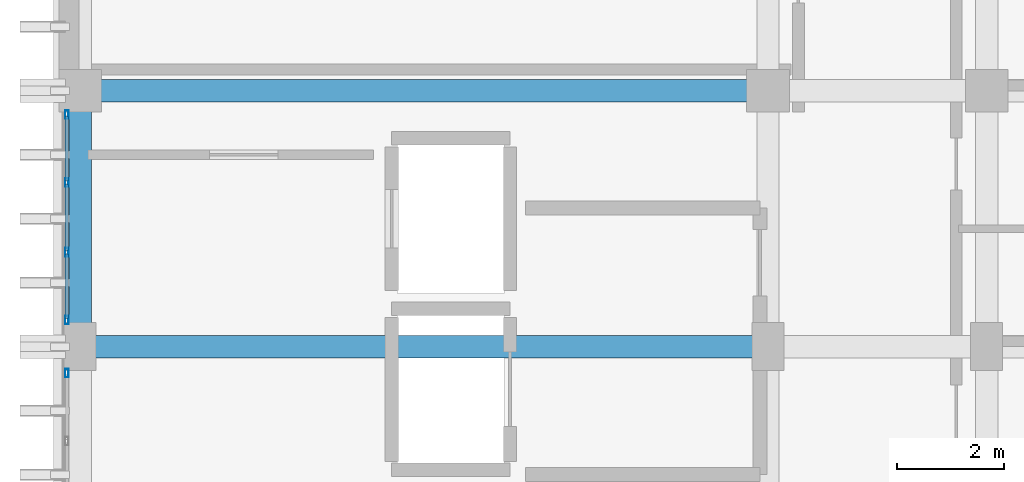
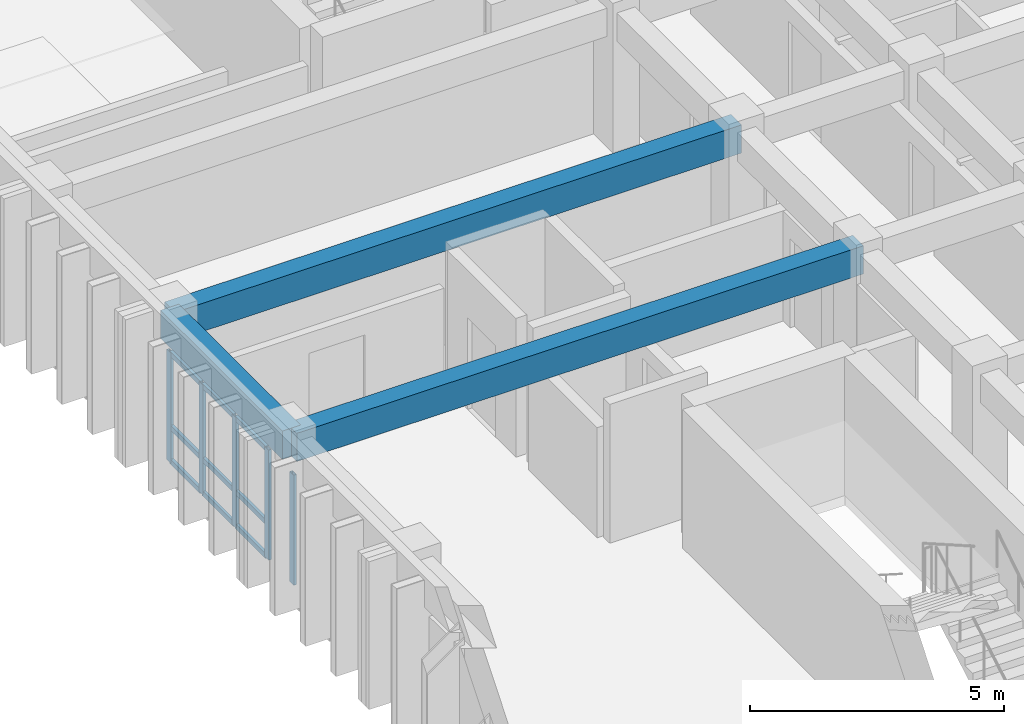
# One storey, part 37 of 82: 14 members, 3 beams, 2 elements without a shape of their own.
"""IFC4 building model written with IfcOpenShell, lengths in metres."""

from ifc_helpers import new_model, si_unit, direction, frame, origin, origin_2d, place, context, subcontext, project, spatial, rectangle, hollow_rectangle, extrude, material, layer, layer_set, material_profile, profile_set, type_object, element, aggregate, save


model = new_model("IFC4")

# Units and contexts
model_context = context("Model", 3, precision=1e-05, world=origin(), true_north=direction((0.0, 1.0)))
body_context = subcontext(model_context, "Body", "Model", "MODEL_VIEW")
ifc_project = project(units=[si_unit("LENGTHUNIT", "METRE"), si_unit("AREAUNIT", "SQUARE_METRE"), si_unit("VOLUMEUNIT", "CUBIC_METRE"), si_unit("PLANEANGLEUNIT", "RADIAN"), si_unit("MASSUNIT", "GRAM", prefix="KILO")], contexts=[model_context])

# Site, building, storey
site_placement = place(None, origin())
site = spatial("IfcSite", under=ifc_project, at=site_placement, CompositionType="ELEMENT")
building_placement = place(site_placement, origin())
building = spatial("IfcBuilding", under=site, at=building_placement, Name="Nakhvara Creek Congress Hotel", CompositionType="ELEMENT")
storey_placement = place(building_placement, frame((0.0, 0.0, 21.0)))
storey = spatial("IfcBuildingStorey", under=building, at=storey_placement, Name="L04", CompositionType="ELEMENT", Elevation=21.0)

# Beams
ifc_material_1 = material(Name="Concrete C40/50", Category="concrete")
ifc_material_profile_1 = material_profile(ifc_material_1, rectangle(XDim=0.419921875, YDim=0.679931640625, at=origin_2d()), Name="RC-BM 420x680", Category="LoadBearing")
ifc_profile_set_1 = profile_set([ifc_material_profile_1], Name="Concrete C40/50")
beam_type = type_object("IfcBeamType", Name="BM-RC-420X680", PredefinedType="BEAM", material=ifc_profile_set_1)
beam_1_placement = place(storey_placement, frame((149.449951171875, 96.0, 3.0), z_axis=(1.0, 0.0, 0.0), x_axis=(0.0, 1.0, 0.0)))
element("IfcBeam", 1, at=beam_1_placement, inside=storey, type_object=beam_type, Name="Beam B11-L04-1931", PredefinedType="BEAM", context=body_context, shape_type="SweptSolid", body=[
    extrude(rectangle(XDim=0.419921875, YDim=0.679931640625, at=origin_2d()), origin(), (0.0, 0.0, 1.0), 12.900146484375),
])
beam_2_placement = place(storey_placement, frame((149.449951171875, 91.199951171875, 3.0), z_axis=(0.0, 1.0, 0.0), x_axis=(-1.0, 0.0, 0.0)))
element("IfcBeam", 2, at=beam_2_placement, inside=storey, type_object=beam_type, Name="Beam B11-L04-1932", PredefinedType="BEAM", context=body_context, shape_type="SweptSolid", body=[
    extrude(rectangle(XDim=0.419921875, YDim=0.679931640625, at=origin_2d()), origin(), (0.0, 0.0, 1.0), 4.800048828125),
])
beam_3_placement = place(storey_placement, frame((149.449951171875, 91.199951171875, 3.0), z_axis=(1.0, 0.0, 0.0), x_axis=(0.0, 1.0, 0.0)))
element("IfcBeam", 3, at=beam_3_placement, inside=storey, type_object=beam_type, Name="Beam B11-L04-2035", PredefinedType="BEAM", context=body_context, shape_type="SweptSolid", body=[
    extrude(rectangle(XDim=0.419921875, YDim=0.679931640625, at=origin_2d()), origin(), (0.0, 0.0, 1.0), 12.900146484375),
])

# Curtain wall, member
ifc_material_2 = material(Name="Bronze-anodised aluminium AW-6063-T6 and double-silver low-E glass", Category="aluminium")
ifc_layer = layer(ifc_material_2, 0.199951171875)
ifc_layer_set = layer_set([ifc_layer], Name="Bronze-anodised aluminium AW-6063-T6 and double-silver low-E glass")
curtain_wall_type = type_object("IfcCurtainWallType", Name="CW-HTL-UNIT", PredefinedType="USERDEFINED", material=ifc_layer_set)
curtain_wall_1_placement = place(storey_placement, origin())
curtain_wall_1 = element("IfcCurtainWall", 4, at=curtain_wall_1_placement, inside=storey, type_object=curtain_wall_type, Name="Curtain Wall CW191", ObjectType="UNITISED", PredefinedType="USERDEFINED")
ifc_material_3 = material(Name="Bronze-anodised aluminium AW-6063-T6", Category="aluminium")
ifc_material_profile_2 = material_profile(ifc_material_3, hollow_rectangle(XDim=0.06494140625, YDim=0.159912109375, WallThickness=0.00390625, at=origin_2d()), Name="ALU-MULL 65x160x4", Category="LoadBearing")
ifc_profile_set_2 = profile_set([ifc_material_profile_2], Name="Bronze-anodised aluminium AW-6063-T6")
member_type_1 = type_object("IfcMemberType", Name="CW-MULL-160", PredefinedType="MULLION", material=ifc_profile_set_2)
member_1_placement = place(storey_placement, frame((149.199951171875, 90.702392578125, 0.0), z_axis=(0.0, 0.0, 1.0), x_axis=(-1.0, 0.0, 0.0)))
member_1 = element("IfcMember", 5, at=member_1_placement, type_object=member_type_1, Name="CW191 mullion 4", PredefinedType="MULLION", context=body_context, shape_type="SweptSolid", body=[
    extrude(hollow_rectangle(XDim=0.06494140625, YDim=0.159912109375, WallThickness=0.00390625, at=origin_2d()), origin(), (0.0, 0.0, 1.0), 2.652099609375),
])
aggregate(curtain_wall_1, [member_1])

# Curtain wall, members
curtain_wall_2_placement = place(storey_placement, origin())
curtain_wall_2 = element("IfcCurtainWall", 6, at=curtain_wall_2_placement, inside=storey, type_object=curtain_wall_type, Name="Curtain Wall CW193", ObjectType="UNITISED", PredefinedType="USERDEFINED")
member_2_placement = place(storey_placement, frame((149.199951171875, 91.697509765625, 0.0), z_axis=(0.0, 0.0, 1.0), x_axis=(-1.0, 0.0, 0.0)))
member_2 = element("IfcMember", 7, at=member_2_placement, type_object=member_type_1, Name="CW193 mullion 1", PredefinedType="MULLION", context=body_context, shape_type="SweptSolid", body=[
    extrude(hollow_rectangle(XDim=0.06494140625, YDim=0.159912109375, WallThickness=0.00390625, at=origin_2d()), origin(), (0.0, 0.0, 1.0), 2.652099609375),
])
member_3_placement = place(storey_placement, frame((149.199951171875, 92.9716796875, 0.0), z_axis=(0.0, 0.0, 1.0), x_axis=(-1.0, 0.0, 0.0)))
member_3 = element("IfcMember", 8, at=member_3_placement, type_object=member_type_1, Name="CW193 mullion 2", PredefinedType="MULLION", context=body_context, shape_type="SweptSolid", body=[
    extrude(hollow_rectangle(XDim=0.06494140625, YDim=0.159912109375, WallThickness=0.00390625, at=origin_2d()), origin(), (0.0, 0.0, 1.0), 2.652099609375),
])
member_4_placement = place(storey_placement, frame((149.199951171875, 94.2783203125, 0.0), z_axis=(0.0, 0.0, 1.0), x_axis=(-1.0, 0.0, 0.0)))
member_4 = element("IfcMember", 9, at=member_4_placement, type_object=member_type_1, Name="CW193 mullion 3", PredefinedType="MULLION", context=body_context, shape_type="SweptSolid", body=[
    extrude(hollow_rectangle(XDim=0.06494140625, YDim=0.159912109375, WallThickness=0.00390625, at=origin_2d()), origin(), (0.0, 0.0, 1.0), 2.652099609375),
])
member_5_placement = place(storey_placement, frame((149.199951171875, 95.552490234375, 0.0), z_axis=(0.0, 0.0, 1.0), x_axis=(-1.0, 0.0, 0.0)))
member_5 = element("IfcMember", 10, at=member_5_placement, type_object=member_type_1, Name="CW193 mullion 4", PredefinedType="MULLION", context=body_context, shape_type="SweptSolid", body=[
    extrude(hollow_rectangle(XDim=0.06494140625, YDim=0.159912109375, WallThickness=0.00390625, at=origin_2d()), origin(), (0.0, 0.0, 1.0), 2.652099609375),
])
ifc_material_profile_3 = material_profile(ifc_material_3, hollow_rectangle(XDim=0.06494140625, YDim=0.1201171875, WallThickness=0.00390625, at=origin_2d()), Name="ALU-TRAN 65x120x4", Category="LoadBearing")
ifc_profile_set_3 = profile_set([ifc_material_profile_3], Name="Bronze-anodised aluminium AW-6063-T6")
member_type_2 = type_object("IfcMemberType", Name="CW-TRAN-120", PredefinedType="USERDEFINED", material=ifc_profile_set_3)
member_6_placement = place(storey_placement, frame((149.199951171875, 91.72998046875, 0.032470703125), z_axis=(0.0, 1.0, 0.0), x_axis=(-1.0, 0.0, 0.0)))
member_6 = element("IfcMember", 11, at=member_6_placement, type_object=member_type_2, Name="CW193 transom 1.1", ObjectType="TRANSOM", PredefinedType="USERDEFINED", context=body_context, shape_type="SweptSolid", body=[
    extrude(hollow_rectangle(XDim=0.06494140625, YDim=0.1201171875, WallThickness=0.00390625, at=origin_2d()), origin(), (0.0, 0.0, 1.0), 1.209228515625),
])
member_7_placement = place(storey_placement, frame((149.199951171875, 91.72998046875, 0.85009765625), z_axis=(0.0, 1.0, 0.0), x_axis=(-1.0, 0.0, 0.0)))
member_7 = element("IfcMember", 12, at=member_7_placement, type_object=member_type_2, Name="CW193 transom 1.2", ObjectType="TRANSOM", PredefinedType="USERDEFINED", context=body_context, shape_type="SweptSolid", body=[
    extrude(hollow_rectangle(XDim=0.06494140625, YDim=0.1201171875, WallThickness=0.00390625, at=origin_2d()), origin(), (0.0, 0.0, 1.0), 1.209228515625),
])
member_8_placement = place(storey_placement, frame((149.199951171875, 91.72998046875, 2.619384765625), z_axis=(0.0, 1.0, 0.0), x_axis=(-1.0, 0.0, 0.0)))
member_8 = element("IfcMember", 13, at=member_8_placement, type_object=member_type_2, Name="CW193 transom 1.3", ObjectType="TRANSOM", PredefinedType="USERDEFINED", context=body_context, shape_type="SweptSolid", body=[
    extrude(hollow_rectangle(XDim=0.06494140625, YDim=0.1201171875, WallThickness=0.00390625, at=origin_2d()), origin(), (0.0, 0.0, 1.0), 1.209228515625),
])
member_9_placement = place(storey_placement, frame((149.199951171875, 93.004150390625, 0.032470703125), z_axis=(0.0, 1.0, 0.0), x_axis=(-1.0, 0.0, 0.0)))
member_9 = element("IfcMember", 14, at=member_9_placement, type_object=member_type_2, Name="CW193 transom 2.1", ObjectType="TRANSOM", PredefinedType="USERDEFINED", context=body_context, shape_type="SweptSolid", body=[
    extrude(hollow_rectangle(XDim=0.06494140625, YDim=0.1201171875, WallThickness=0.00390625, at=origin_2d()), origin(), (0.0, 0.0, 1.0), 1.24169921875),
])
member_10_placement = place(storey_placement, frame((149.199951171875, 93.004150390625, 0.85009765625), z_axis=(0.0, 1.0, 0.0), x_axis=(-1.0, 0.0, 0.0)))
member_10 = element("IfcMember", 15, at=member_10_placement, type_object=member_type_2, Name="CW193 transom 2.2", ObjectType="TRANSOM", PredefinedType="USERDEFINED", context=body_context, shape_type="SweptSolid", body=[
    extrude(hollow_rectangle(XDim=0.06494140625, YDim=0.1201171875, WallThickness=0.00390625, at=origin_2d()), origin(), (0.0, 0.0, 1.0), 1.24169921875),
])
member_11_placement = place(storey_placement, frame((149.199951171875, 93.004150390625, 2.619384765625), z_axis=(0.0, 1.0, 0.0), x_axis=(-1.0, 0.0, 0.0)))
member_11 = element("IfcMember", 16, at=member_11_placement, type_object=member_type_2, Name="CW193 transom 2.3", ObjectType="TRANSOM", PredefinedType="USERDEFINED", context=body_context, shape_type="SweptSolid", body=[
    extrude(hollow_rectangle(XDim=0.06494140625, YDim=0.1201171875, WallThickness=0.00390625, at=origin_2d()), origin(), (0.0, 0.0, 1.0), 1.24169921875),
])
member_12_placement = place(storey_placement, frame((149.199951171875, 94.310791015625, 0.032470703125), z_axis=(0.0, 1.0, 0.0), x_axis=(-1.0, 0.0, 0.0)))
member_12 = element("IfcMember", 17, at=member_12_placement, type_object=member_type_2, Name="CW193 transom 3.1", ObjectType="TRANSOM", PredefinedType="USERDEFINED", context=body_context, shape_type="SweptSolid", body=[
    extrude(hollow_rectangle(XDim=0.06494140625, YDim=0.1201171875, WallThickness=0.00390625, at=origin_2d()), origin(), (0.0, 0.0, 1.0), 1.209228515625),
])
member_13_placement = place(storey_placement, frame((149.199951171875, 94.310791015625, 0.85009765625), z_axis=(0.0, 1.0, 0.0), x_axis=(-1.0, 0.0, 0.0)))
member_13 = element("IfcMember", 18, at=member_13_placement, type_object=member_type_2, Name="CW193 transom 3.2", ObjectType="TRANSOM", PredefinedType="USERDEFINED", context=body_context, shape_type="SweptSolid", body=[
    extrude(hollow_rectangle(XDim=0.06494140625, YDim=0.1201171875, WallThickness=0.00390625, at=origin_2d()), origin(), (0.0, 0.0, 1.0), 1.209228515625),
])
member_14_placement = place(storey_placement, frame((149.199951171875, 94.310791015625, 2.619384765625), z_axis=(0.0, 1.0, 0.0), x_axis=(-1.0, 0.0, 0.0)))
member_14 = element("IfcMember", 19, at=member_14_placement, type_object=member_type_2, Name="CW193 transom 3.3", ObjectType="TRANSOM", PredefinedType="USERDEFINED", context=body_context, shape_type="SweptSolid", body=[
    extrude(hollow_rectangle(XDim=0.06494140625, YDim=0.1201171875, WallThickness=0.00390625, at=origin_2d()), origin(), (0.0, 0.0, 1.0), 1.209228515625),
])
aggregate(curtain_wall_2, [member_2, member_3, member_4, member_5, member_6, member_7, member_8, member_9, member_10, member_11, member_12, member_13, member_14])

save(model, "model.ifc")
